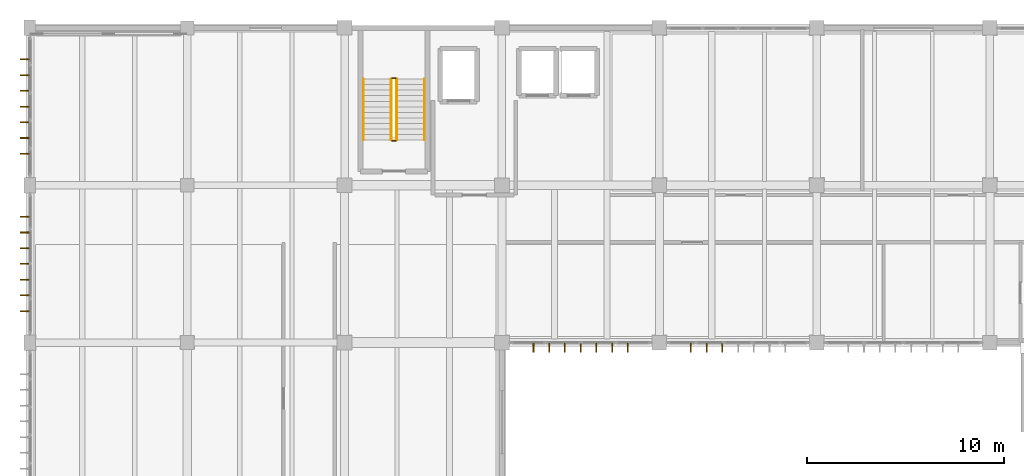
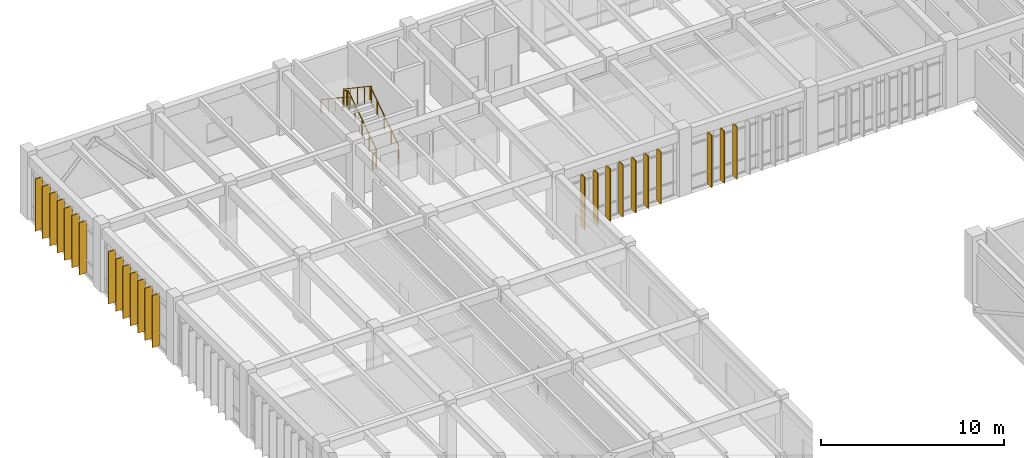
# One storey, part 73 of 79: 24 shading devices, 6 railings.
"""IFC4 building model written with IfcOpenShell, lengths in metres."""

from ifc_helpers import new_model, si_unit, direction, frame, origin, origin_2d, place, context, subcontext, project, spatial, rectangle, circle, extrude, material, layer, layer_set, type_object, element, save


model = new_model("IFC4")

# Units and contexts
model_context = context("Model", 3, precision=1e-05, world=origin(), true_north=direction((0.0, 1.0)))
body_context = subcontext(model_context, "Body", "Model", "MODEL_VIEW")
ifc_project = project(units=[si_unit("LENGTHUNIT", "METRE"), si_unit("AREAUNIT", "SQUARE_METRE"), si_unit("VOLUMEUNIT", "CUBIC_METRE"), si_unit("PLANEANGLEUNIT", "RADIAN"), si_unit("MASSUNIT", "GRAM", prefix="KILO")], contexts=[model_context])

# Site, building, storey
site_placement = place(None, origin())
site = spatial("IfcSite", under=ifc_project, at=site_placement, CompositionType="ELEMENT")
building_placement = place(site_placement, origin())
building = spatial("IfcBuilding", under=site, at=building_placement, Name="Tlaxcora Railside Police Headquarters", CompositionType="ELEMENT")
storey_placement = place(building_placement, frame((0.0, 0.0, 9.0)))
storey = spatial("IfcBuildingStorey", under=building, at=storey_placement, Name="L02", CompositionType="ELEMENT", Elevation=9.0)

# Shading devices
ifc_material_1 = material(Name="Anodised aluminium framing", Category="aluminium")
ifc_layer = layer(ifc_material_1, 0.054931640625, Name="Anodised aluminium framing")
ifc_layer_set = layer_set([ifc_layer], Name="Anodised aluminium framing")
shading_device_type = type_object("IfcShadingDeviceType", Name="Solar Control Fin SF-01", PredefinedType="JALOUSIE", material=ifc_layer_set)
for number, where, z_axis, x_axis, name in (
    (1, (30.800048828125, 76.5400390625, 0.0400390625), (0.0, 0.0, 1.0), (0.0, -1.0, 0.0), "Vertical solar fin 163"),
    (2, (31.60009765625, 76.5400390625, 0.0400390625), (0.0, 0.0, 1.0), (0.0, -1.0, 0.0), "Vertical solar fin 164"),
    (3, (32.39990234375, 76.5400390625, 0.0400390625), (0.0, 0.0, 1.0), (0.0, -1.0, 0.0), "Vertical solar fin 165"),
    (4, (33.199951171875, 76.5400390625, 0.0400390625), (0.0, 0.0, 1.0), (0.0, -1.0, 0.0), "Vertical solar fin 166"),
    (5, (34.0, 76.5400390625, 0.0400390625), (0.0, 0.0, 1.0), (0.0, -1.0, 0.0), "Vertical solar fin 167"),
    (6, (34.800048828125, 76.5400390625, 0.0400390625), (0.0, 0.0, 1.0), (0.0, -1.0, 0.0), "Vertical solar fin 168"),
    (7, (35.60009765625, 76.5400390625, 0.0400390625), (0.0, 0.0, 1.0), (0.0, -1.0, 0.0), "Vertical solar fin 169"),
    (8, (38.800048828125, 76.5400390625, 0.0400390625), (0.0, 0.0, 1.0), (0.0, -1.0, 0.0), "Vertical solar fin 170"),
    (9, (39.60009765625, 76.5400390625, 0.0400390625), (0.0, 0.0, 1.0), (0.0, -1.0, 0.0), "Vertical solar fin 171"),
    (10, (40.39990234375, 76.5400390625, 0.0400390625), (0.0, 0.0, 1.0), (0.0, -1.0, 0.0), "Vertical solar fin 172"),
    (11, (4.93994140625, 91.199951171875, 0.0400390625), (0.0, 0.0, 1.0), (-1.0, 0.0, 0.0), "Vertical solar fin 222"),
    (12, (4.93994140625, 90.39990234375, 0.0400390625), (0.0, 0.0, 1.0), (-1.0, 0.0, 0.0), "Vertical solar fin 223"),
    (13, (4.93994140625, 89.60009765625, 0.0400390625), (0.0, 0.0, 1.0), (-1.0, 0.0, 0.0), "Vertical solar fin 224"),
    (14, (4.93994140625, 88.800048828125, 0.0400390625), (0.0, 0.0, 1.0), (-1.0, 0.0, 0.0), "Vertical solar fin 225"),
    (15, (4.93994140625, 88.0, 0.0400390625), (0.0, 0.0, 1.0), (-1.0, 0.0, 0.0), "Vertical solar fin 226"),
    (16, (4.93994140625, 87.199951171875, 0.0400390625), (0.0, 0.0, 1.0), (-1.0, 0.0, 0.0), "Vertical solar fin 227"),
    (17, (4.93994140625, 86.39990234375, 0.0400390625), (0.0, 0.0, 1.0), (-1.0, 0.0, 0.0), "Vertical solar fin 228"),
    (18, (4.93994140625, 83.199951171875, 0.0400390625), (0.0, 0.0, 1.0), (-1.0, 0.0, 0.0), "Vertical solar fin 229"),
    (19, (4.93994140625, 82.39990234375, 0.0400390625), (0.0, 0.0, 1.0), (-1.0, 0.0, 0.0), "Vertical solar fin 230"),
    (20, (4.93994140625, 81.60009765625, 0.0400390625), (0.0, 0.0, 1.0), (-1.0, 0.0, 0.0), "Vertical solar fin 231"),
    (21, (4.93994140625, 80.800048828125, 0.0400390625), (0.0, 0.0, 1.0), (-1.0, 0.0, 0.0), "Vertical solar fin 232"),
    (22, (4.93994140625, 80.0, 0.0400390625), (0.0, 0.0, 1.0), (-1.0, 0.0, 0.0), "Vertical solar fin 233"),
    (23, (4.93994140625, 79.199951171875, 0.0400390625), (0.0, 0.0, 1.0), (-1.0, 0.0, 0.0), "Vertical solar fin 234"),
    (24, (4.93994140625, 78.39990234375, 0.0400390625), (0.0, 0.0, 1.0), (-1.0, 0.0, 0.0), "Vertical solar fin 235"),
):
    element("IfcShadingDevice", number, at=place(storey_placement, frame(where, z_axis=z_axis, x_axis=x_axis)), inside=storey, type_object=shading_device_type, Name=name, PredefinedType="JALOUSIE", context=body_context, shape_type="SweptSolid", body=[
        extrude(rectangle(XDim=0.47998046875, YDim=0.054931640625, at=origin_2d()), origin(), (0.0, 0.0, 1.0), 3.489990234375),
    ])

# Railings
ifc_material_2 = material(Name="Steel ASTM A992 Grade 50", Category="steel")
railing_type_1 = type_object("IfcRailingType", Name="Stair Well Guard Balustrade GR-02", PredefinedType="BALUSTRADE", material=ifc_material_2)
railing_1_placement = place(storey_placement, frame((23.860107421875, 87.110107421875, 0.1875)))
element("IfcRailing", 25, at=railing_1_placement, inside=storey, type_object=railing_type_1, Name="L02 ST1 stair guard 1", PredefinedType="BALUSTRADE", context=body_context, shape_type="SweptSolid", body=[
    extrude(circle(Radius=0.02392578125, at=origin_2d()), frame((0.0, 0.0, 1.09619140625), z_axis=(0.0, 0.830893310487, 0.556431762742), x_axis=(-1.0, 0.0, 0.0)), (0.0, 0.0, 1.0), 3.70654296875),
    extrude(circle(Radius=0.02099609375, at=origin_2d()), origin(), (0.0, 0.0, 1.0), 1.072021484375),
    extrude(circle(Radius=0.02099609375, at=origin_2d()), frame((0.0, 0.77001953125, 0.515625)), (0.0, 0.0, 1.0), 1.072021484375),
    extrude(circle(Radius=0.02099609375, at=origin_2d()), frame((0.0, 1.5400390625, 1.03125)), (0.0, 0.0, 1.0), 1.072021484375),
    extrude(circle(Radius=0.02099609375, at=origin_2d()), frame((0.0, 2.309814453125, 1.546875)), (0.0, 0.0, 1.0), 1.072021484375),
    extrude(circle(Radius=0.02099609375, at=origin_2d()), frame((0.0, 3.079833984375, 2.0625)), (0.0, 0.0, 1.0), 1.072021484375),
])
railing_2_placement = place(storey_placement, frame((23.81005859375, 90.239990234375, 2.25)))
element("IfcRailing", 26, at=railing_2_placement, inside=storey, type_object=railing_type_1, Name="L02 ST1 stair guard 2", PredefinedType="BALUSTRADE", context=body_context, shape_type="SweptSolid", body=[
    extrude(circle(Radius=0.02392578125, at=origin_2d()), frame((0.0, 0.0, 1.09619140625), z_axis=(-1.0, 0.0, 0.0), x_axis=(0.0, -1.0, 0.0)), (0.0, 0.0, 1.0), 0.199951171875),
    extrude(circle(Radius=0.02099609375, at=origin_2d()), origin(), (0.0, 0.0, 1.0), 1.072021484375),
    extrude(circle(Radius=0.02099609375, at=origin_2d()), frame((-0.199951171875, 0.0, 0.0)), (0.0, 0.0, 1.0), 1.072021484375),
])
railing_3_placement = place(storey_placement, frame((23.56005859375, 90.18994140625, 2.4375)))
element("IfcRailing", 27, at=railing_3_placement, inside=storey, type_object=railing_type_1, Name="L02 ST1 stair guard 3", PredefinedType="BALUSTRADE", context=body_context, shape_type="SweptSolid", body=[
    extrude(circle(Radius=0.02392578125, at=origin_2d()), frame((0.0, 0.0, 1.09619140625), z_axis=(0.0, -0.830893310487, 0.556431762742), x_axis=(1.0, 0.0, 0.0)), (0.0, 0.0, 1.0), 3.70654296875),
    extrude(circle(Radius=0.02099609375, at=origin_2d()), origin(), (0.0, 0.0, 1.0), 1.072021484375),
    extrude(circle(Radius=0.02099609375, at=origin_2d()), frame((0.0, -0.77001953125, 0.515625)), (0.0, 0.0, 1.0), 1.072021484375),
    extrude(circle(Radius=0.02099609375, at=origin_2d()), frame((0.0, -1.5400390625, 1.03125)), (0.0, 0.0, 1.0), 1.072021484375),
    extrude(circle(Radius=0.02099609375, at=origin_2d()), frame((0.0, -2.309814453125, 1.546875)), (0.0, 0.0, 1.0), 1.072021484375),
    extrude(circle(Radius=0.02099609375, at=origin_2d()), frame((0.0, -3.079833984375, 2.0625)), (0.0, 0.0, 1.0), 1.072021484375),
])
railing_4_placement = place(storey_placement, frame((23.81005859375, 87.06005859375, 0.0)))
element("IfcRailing", 28, at=railing_4_placement, inside=storey, type_object=railing_type_1, Name="L02 ST1 stair guard 4", PredefinedType="BALUSTRADE", context=body_context, shape_type="SweptSolid", body=[
    extrude(circle(Radius=0.02392578125, at=origin_2d()), frame((0.0, 0.0, 1.09619140625), z_axis=(-1.0, 0.0, 0.0), x_axis=(0.0, -1.0, 0.0)), (0.0, 0.0, 1.0), 0.199951171875),
    extrude(circle(Radius=0.02099609375, at=origin_2d()), origin(), (0.0, 0.0, 1.0), 1.072021484375),
    extrude(circle(Radius=0.02099609375, at=origin_2d()), frame((-0.199951171875, 0.0, 0.0)), (0.0, 0.0, 1.0), 1.072021484375),
])
railing_type_2 = type_object("IfcRailingType", Name="Stair and Ramp Handrail HR-01", PredefinedType="HANDRAIL", material=ifc_material_2)
railing_5_placement = place(storey_placement, frame((25.260009765625, 87.110107421875, 0.1875)))
element("IfcRailing", 29, at=railing_5_placement, inside=storey, type_object=railing_type_2, Name="L02 ST1 stair handrail 1", PredefinedType="HANDRAIL", context=body_context, shape_type="SweptSolid", body=[
    extrude(circle(Radius=0.02392578125, at=origin_2d()), frame((0.0, 0.0, 0.8759765625), z_axis=(0.0, 0.830893310487, 0.556431762742), x_axis=(-1.0, 0.0, 0.0)), (0.0, 0.0, 1.0), 3.70654296875),
    extrude(circle(Radius=0.02099609375, at=origin_2d()), origin(), (0.0, 0.0, 1.0), 0.851806640625),
    extrude(circle(Radius=0.02099609375, at=origin_2d()), frame((0.0, 0.77001953125, 0.515625)), (0.0, 0.0, 1.0), 0.851806640625),
    extrude(circle(Radius=0.02099609375, at=origin_2d()), frame((0.0, 1.5400390625, 1.03125)), (0.0, 0.0, 1.0), 0.851806640625),
    extrude(circle(Radius=0.02099609375, at=origin_2d()), frame((0.0, 2.309814453125, 1.546875)), (0.0, 0.0, 1.0), 0.851806640625),
    extrude(circle(Radius=0.02099609375, at=origin_2d()), frame((0.0, 3.079833984375, 2.0625)), (0.0, 0.0, 1.0), 0.851806640625),
])
railing_6_placement = place(storey_placement, frame((22.159912109375, 90.18994140625, 2.4375)))
element("IfcRailing", 30, at=railing_6_placement, inside=storey, type_object=railing_type_2, Name="L02 ST1 stair handrail 2", PredefinedType="HANDRAIL", context=body_context, shape_type="SweptSolid", body=[
    extrude(circle(Radius=0.02392578125, at=origin_2d()), frame((0.0, 0.0, 0.8759765625), z_axis=(0.0, -0.830893310487, 0.556431762742), x_axis=(1.0, 0.0, 0.0)), (0.0, 0.0, 1.0), 3.70654296875),
    extrude(circle(Radius=0.02099609375, at=origin_2d()), origin(), (0.0, 0.0, 1.0), 0.851806640625),
    extrude(circle(Radius=0.02099609375, at=origin_2d()), frame((0.0, -0.77001953125, 0.515625)), (0.0, 0.0, 1.0), 0.851806640625),
    extrude(circle(Radius=0.02099609375, at=origin_2d()), frame((0.0, -1.5400390625, 1.03125)), (0.0, 0.0, 1.0), 0.851806640625),
    extrude(circle(Radius=0.02099609375, at=origin_2d()), frame((0.0, -2.309814453125, 1.546875)), (0.0, 0.0, 1.0), 0.851806640625),
    extrude(circle(Radius=0.02099609375, at=origin_2d()), frame((0.0, -3.079833984375, 2.0625)), (0.0, 0.0, 1.0), 0.851806640625),
])

save(model, "model.ifc")
